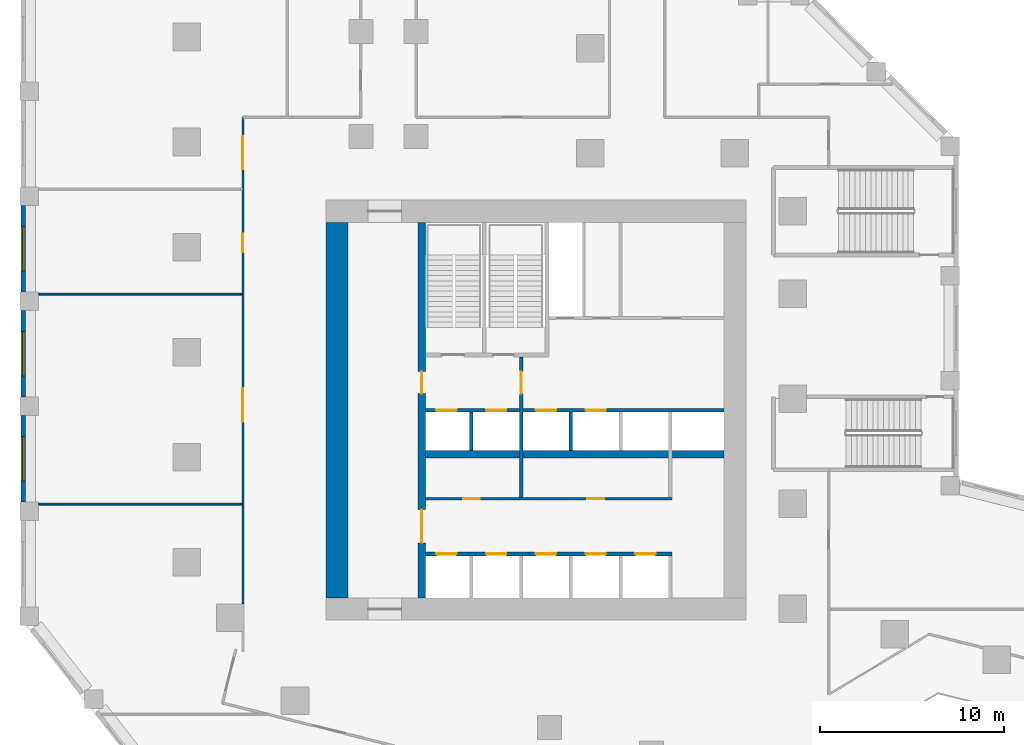
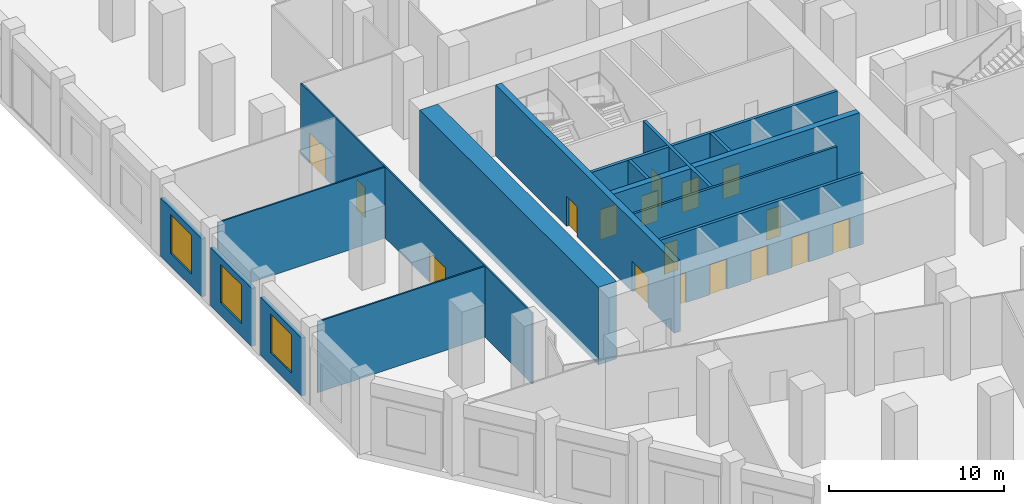
# One storey, part 10 of 23: 17 doors, 15 walls, 3 windows, 20 openings.
"""IFC4 building model written with IfcOpenShell, lengths in metres."""

from ifc_helpers import new_model, si_unit, direction, frame, frame_2d, origin, place, context, subcontext, project, spatial, rectangle, extrude, material, layer, layer_set, type_object, element, fill, save


model = new_model("IFC4")

# Units and contexts
model_context = context("Model", 3, precision=1e-05, world=origin(), true_north=direction((0.0, 1.0)))
body_context = subcontext(model_context, "Body", "Model", "MODEL_VIEW")
ifc_project = project(units=[si_unit("LENGTHUNIT", "METRE"), si_unit("AREAUNIT", "SQUARE_METRE"), si_unit("VOLUMEUNIT", "CUBIC_METRE"), si_unit("PLANEANGLEUNIT", "RADIAN"), si_unit("MASSUNIT", "GRAM", prefix="KILO")], contexts=[model_context])

# Site, building, storey
site_placement = place(None, origin())
site = spatial("IfcSite", under=ifc_project, at=site_placement, CompositionType="ELEMENT")
building_placement = place(site_placement, origin())
building = spatial("IfcBuilding", under=site, at=building_placement, Name="Meshkara Civic Tower", CompositionType="ELEMENT")
storey_placement = place(building_placement, frame((0.0, 0.0, 7.199951171875)))
storey = spatial("IfcBuildingStorey", under=building, at=storey_placement, Name="L01", CompositionType="ELEMENT", Elevation=7.199951171875)

# Wall, openings, doors
ifc_material_1 = material(Name="Blockwork", Category="masonry")
ifc_layer_1 = layer(ifc_material_1, 0.14990234375)
ifc_layer_set_1 = layer_set([ifc_layer_1], Name="Core partition 150")
wall_type_1 = type_object("IfcWallType", Name="Core partition 150", PredefinedType="PARTITIONING", material=ifc_layer_set_1)
wall_1_placement = place(storey_placement, frame((13.39990234375, 20.699951171875, 0.0), z_axis=(0.0, 0.0, 1.0), x_axis=(1.0, 0.0, 0.0)))
wall_1 = element("IfcWall", 1, at=wall_1_placement, inside=storey, type_object=wall_type_1, Name="L01-C006", PredefinedType="PARTITIONING", context=body_context, shape_type="SweptSolid", body=[
    extrude(rectangle(XDim=13.400146484375, YDim=0.14990234375, at=frame_2d((6.7001953125, 0.0))), origin(), (0.0, 0.0, 1.0), 4.949951171875),
])
opening_1_placement = place(wall_1_placement, frame((2.050048828125, 0.0, 0.0)))
opening_1 = element("IfcOpeningElement", 2, at=opening_1_placement, cuts=wall_1, Name="Opening L01-K010", PredefinedType="OPENING", context=body_context, shape_type="SweptSolid", body=[
    extrude(rectangle(XDim=0.89990234375, YDim=2.10009765625, at=frame_2d((0.449951171875, 1.050048828125))), frame((0.0, 0.0849609375, 0.0), z_axis=(0.0, -1.0, 0.0), x_axis=(1.0, 0.0, 0.0)), (0.0, 0.0, 1.0), 0.169921875),
])
opening_2_placement = place(wall_1_placement, frame((8.800048828125, 0.0, 0.0)))
opening_2 = element("IfcOpeningElement", 3, at=opening_2_placement, cuts=wall_1, Name="Opening L01-K011", PredefinedType="OPENING", context=body_context, shape_type="SweptSolid", body=[
    extrude(rectangle(XDim=0.89990234375, YDim=2.10009765625, at=frame_2d((0.449951171875, 1.050048828125))), frame((0.0, 0.0849609375, 0.0), z_axis=(0.0, -1.0, 0.0), x_axis=(1.0, 0.0, 0.0)), (0.0, 0.0, 1.0), 0.169921875),
])
ifc_material_2 = material(Name="Timber door leaf in steel frame", Category="steel")
door_type_1 = type_object("IfcDoorType", Name="Core room door 900", OperationType="SINGLE_SWING_LEFT", PredefinedType="DOOR", material=ifc_material_2)
door_1_placement = place(opening_1_placement, origin())
door_1 = element("IfcDoor", 4, at=door_1_placement, inside=storey, type_object=door_type_1, Name="L01-K010", OperationType="SINGLE_SWING_RIGHT", OverallHeight=2.10009765625, OverallWidth=0.89990234375, PredefinedType="DOOR", context=body_context, shape_type="SweptSolid", body=[
    extrude(rectangle(XDim=0.89990234375, YDim=2.10009765625, at=frame_2d((0.449951171875, 1.050048828125))), frame((0.0, 0.02490234375, 0.0), z_axis=(0.0, -1.0, 0.0), x_axis=(1.0, 0.0, 0.0)), (0.0, 0.0, 1.0), 0.050048828125),
])
fill(opening_1, door_1)
door_2_placement = place(opening_2_placement, origin())
door_2 = element("IfcDoor", 5, at=door_2_placement, inside=storey, type_object=door_type_1, Name="L01-K011", OperationType="SINGLE_SWING_RIGHT", OverallHeight=2.10009765625, OverallWidth=0.89990234375, PredefinedType="DOOR", context=body_context, shape_type="SweptSolid", body=[
    extrude(rectangle(XDim=0.89990234375, YDim=2.10009765625, at=frame_2d((0.449951171875, 1.050048828125))), frame((0.0, 0.02490234375, 0.0), z_axis=(0.0, -1.0, 0.0), x_axis=(1.0, 0.0, 0.0)), (0.0, 0.0, 1.0), 0.050048828125),
])
fill(opening_2, door_2)

# Walls
ifc_material_3 = material(Name="Concrete C80", Category="concrete")
ifc_layer_2 = layer(ifc_material_3, 1.199951171875)
ifc_layer_set_2 = layer_set([ifc_layer_2], Name="Core ring wall 1200 C80")
wall_type_2 = type_object("IfcWallType", Name="Core ring wall 1200 C80", PredefinedType="SHEAR", material=ifc_layer_set_2)
wall_2_placement = place(storey_placement, frame((8.60009765625, 15.300048828125, -0.449951171875), z_axis=(0.0, 0.0, 1.0), x_axis=(0.0, 1.0, 0.0)))
element("IfcWall", 6, at=wall_2_placement, inside=storey, type_object=wall_type_2, Name="L01-C003", PredefinedType="SHEAR", context=body_context, shape_type="SweptSolid", body=[
    extrude(rectangle(XDim=20.39990234375, YDim=1.199951171875, at=frame_2d((10.199951171875, 0.0))), origin(), (0.0, 0.0, 1.0), 5.39990234375),
])
ifc_material_4 = material(Name="Concrete C80", Category="concrete")
ifc_layer_3 = layer(ifc_material_4, 0.39990234375)
ifc_layer_set_3 = layer_set([ifc_layer_3], Name="Core shear wall 400 C80")
wall_type_3 = type_object("IfcWallType", Name="Core shear wall 400 C80", PredefinedType="SHEAR", material=ifc_layer_set_3)
wall_3_placement = place(storey_placement, frame((13.39990234375, 23.10009765625, 0.0), z_axis=(0.0, 0.0, 1.0), x_axis=(1.0, 0.0, 0.0)))
element("IfcWall", 7, at=wall_3_placement, inside=storey, type_object=wall_type_3, Name="L01-C007", PredefinedType="SHEAR", context=body_context, shape_type="SweptSolid", body=[
    extrude(rectangle(XDim=16.2001953125, YDim=0.39990234375, at=frame_2d((8.10009765625, 0.0))), origin(), (0.0, 0.0, 1.0), 4.949951171875),
])

# Wall, openings, doors
wall_4_placement = place(storey_placement, frame((13.199951171875, 15.300048828125, 0.0), z_axis=(0.0, 0.0, 1.0), x_axis=(0.0, 1.0, 0.0)))
wall_4 = element("IfcWall", 8, at=wall_4_placement, inside=storey, type_object=wall_type_3, Name="L01-C011", PredefinedType="SHEAR", context=body_context, shape_type="SweptSolid", body=[
    extrude(rectangle(XDim=20.39990234375, YDim=0.39990234375, at=frame_2d((10.199951171875, 0.0))), origin(), (0.0, 0.0, 1.0), 4.949951171875),
])
opening_3_placement = place(wall_4_placement, frame((3.0, 0.0, 0.0)))
opening_3 = element("IfcOpeningElement", 9, at=opening_3_placement, cuts=wall_4, Name="Opening L01-K017", PredefinedType="OPENING", context=body_context, shape_type="SweptSolid", body=[
    extrude(rectangle(XDim=1.800048828125, YDim=2.10009765625, at=frame_2d((0.89990234375, 1.050048828125))), frame((0.0, 0.2099609375, 0.0), z_axis=(0.0, -1.0, 0.0), x_axis=(1.0, 0.0, 0.0)), (0.0, 0.0, 1.0), 0.419921875),
])
opening_4_placement = place(wall_4_placement, frame((11.10009765625, 0.0, 0.0)))
opening_4 = element("IfcOpeningElement", 10, at=opening_4_placement, cuts=wall_4, Name="Opening L01-K018", PredefinedType="OPENING", context=body_context, shape_type="SweptSolid", body=[
    extrude(rectangle(XDim=1.199951171875, YDim=2.10009765625, at=frame_2d((0.60009765625, 1.050048828125))), frame((0.0, 0.2099609375, 0.0), z_axis=(0.0, -1.0, 0.0), x_axis=(1.0, 0.0, 0.0)), (0.0, 0.0, 1.0), 0.419921875),
])
ifc_material_5 = material(Name="Fire-rated door leaf in steel frame", Category="steel")
door_type_2 = type_object("IfcDoorType", Name="Core double door 1800 EI 60", OperationType="DOUBLE_DOOR_SINGLE_SWING", PredefinedType="DOOR", material=ifc_material_5)
door_3_placement = place(opening_3_placement, origin())
door_3 = element("IfcDoor", 11, at=door_3_placement, inside=storey, type_object=door_type_2, Name="L01-K017", OperationType="DOUBLE_DOOR_SINGLE_SWING", OverallHeight=2.10009765625, OverallWidth=1.800048828125, PredefinedType="DOOR", context=body_context, shape_type="SweptSolid", body=[
    extrude(rectangle(XDim=1.800048828125, YDim=2.10009765625, at=frame_2d((0.89990234375, 1.050048828125))), frame((0.0, 0.02490234375, 0.0), z_axis=(0.0, -1.0, 0.0), x_axis=(1.0, 0.0, 0.0)), (0.0, 0.0, 1.0), 0.050048828125),
])
fill(opening_3, door_3)
ifc_material_6 = material(Name="Fire-rated door leaf in steel frame", Category="steel")
door_type_3 = type_object("IfcDoorType", Name="Fire-fighting lobby door 1200 EI 120", OperationType="SINGLE_SWING_LEFT", PredefinedType="DOOR", material=ifc_material_6)
door_4_placement = place(opening_4_placement, origin())
door_4 = element("IfcDoor", 12, at=door_4_placement, inside=storey, type_object=door_type_3, Name="L01-K018", OperationType="SINGLE_SWING_LEFT", OverallHeight=2.10009765625, OverallWidth=1.199951171875, PredefinedType="DOOR", context=body_context, shape_type="SweptSolid", body=[
    extrude(rectangle(XDim=1.199951171875, YDim=2.10009765625, at=frame_2d((0.60009765625, 1.050048828125))), frame((0.0, 0.02490234375, 0.0), z_axis=(0.0, -1.0, 0.0), x_axis=(1.0, 0.0, 0.0)), (0.0, 0.0, 1.0), 0.050048828125),
])
fill(opening_4, door_4)

ifc_material_7 = material(Name="Corridor wall 100")
ifc_layer_4 = layer(ifc_material_7, 0.10009765625)
ifc_layer_set_4 = layer_set([ifc_layer_4], Name="Corridor wall 100")
wall_type_4 = type_object("IfcWallType", Name="Corridor wall 100", PredefinedType="PARTITIONING", material=ifc_layer_set_4)
wall_5_placement = place(storey_placement, frame((3.5, 14.9990234375, 0.0), z_axis=(0.0, 0.0, 1.0), x_axis=(0.0, 1.0, 0.0)))
wall_5 = element("IfcWall", 13, at=wall_5_placement, inside=storey, type_object=wall_type_4, Name="L01-R007", PredefinedType="PARTITIONING", context=body_context, shape_type="SweptSolid", body=[
    extrude(rectangle(XDim=26.40087890625, YDim=0.10009765625, at=frame_2d((13.200439453125, 0.0))), origin(), (0.0, 0.0, 1.0), 4.949951171875),
])
opening_5_placement = place(wall_5_placement, frame((9.881103515625, 0.0, 0.0)))
opening_5 = element("IfcOpeningElement", 14, at=opening_5_placement, cuts=wall_5, Name="Opening L01-P022", PredefinedType="OPENING", context=body_context, shape_type="SweptSolid", body=[
    extrude(rectangle(XDim=1.800048828125, YDim=2.10009765625, at=frame_2d((0.89990234375, 1.050048828125))), frame((0.0, 0.06005859375, 0.0), z_axis=(0.0, -1.0, 0.0), x_axis=(1.0, 0.0, 0.0)), (0.0, 0.0, 1.0), 0.1201171875),
])
opening_6_placement = place(wall_5_placement, frame((19.0810546875, 0.0, 0.0)))
opening_6 = element("IfcOpeningElement", 15, at=opening_6_placement, cuts=wall_5, Name="Opening L01-P024", PredefinedType="OPENING", context=body_context, shape_type="SweptSolid", body=[
    extrude(rectangle(XDim=1.0, YDim=2.10009765625, at=frame_2d((0.5, 1.050048828125))), frame((0.0, 0.06005859375, 0.0), z_axis=(0.0, -1.0, 0.0), x_axis=(1.0, 0.0, 0.0)), (0.0, 0.0, 1.0), 0.1201171875),
])
opening_7_placement = place(wall_5_placement, frame((23.5810546875, 0.0, 0.0)))
opening_7 = element("IfcOpeningElement", 16, at=opening_7_placement, cuts=wall_5, Name="Opening L01-P026", PredefinedType="OPENING", context=body_context, shape_type="SweptSolid", body=[
    extrude(rectangle(XDim=1.800048828125, YDim=2.10009765625, at=frame_2d((0.89990234375, 1.050048828125))), frame((0.0, 0.06005859375, 0.0), z_axis=(0.0, -1.0, 0.0), x_axis=(1.0, 0.0, 0.0)), (0.0, 0.0, 1.0), 0.1201171875),
])
ifc_material_8 = material(Name="Door 1000 x 2100")
door_type_4 = type_object("IfcDoorType", Name="Door 1000 x 2100", OperationType="SINGLE_SWING_LEFT", PredefinedType="DOOR", material=ifc_material_8)
door_5_placement = place(opening_6_placement, origin())
door_5 = element("IfcDoor", 17, at=door_5_placement, inside=storey, type_object=door_type_4, Name="L01-P024", OperationType="SINGLE_SWING_RIGHT", OverallHeight=2.10009765625, OverallWidth=1.0, PredefinedType="DOOR", context=body_context, shape_type="SweptSolid", body=[
    extrude(rectangle(XDim=1.0, YDim=2.10009765625, at=frame_2d((0.5, 1.050048828125))), frame((0.0, 0.02490234375, 0.0), z_axis=(0.0, -1.0, 0.0), x_axis=(1.0, 0.0, 0.0)), (0.0, 0.0, 1.0), 0.050048828125),
])
fill(opening_6, door_5)
ifc_material_9 = material(Name="Door pair 1800 x 2100")
door_type_5 = type_object("IfcDoorType", Name="Door pair 1800 x 2100", OperationType="SINGLE_SWING_LEFT", PredefinedType="DOOR", material=ifc_material_9)
door_6_placement = place(opening_5_placement, origin())
door_6 = element("IfcDoor", 18, at=door_6_placement, inside=storey, type_object=door_type_5, Name="L01-P022", OperationType="DOUBLE_DOOR_SINGLE_SWING", OverallHeight=2.10009765625, OverallWidth=1.800048828125, PredefinedType="DOOR", context=body_context, shape_type="SweptSolid", body=[
    extrude(rectangle(XDim=1.800048828125, YDim=2.10009765625, at=frame_2d((0.89990234375, 1.050048828125))), frame((0.0, 0.02490234375, 0.0), z_axis=(0.0, -1.0, 0.0), x_axis=(1.0, 0.0, 0.0)), (0.0, 0.0, 1.0), 0.050048828125),
])
fill(opening_5, door_6)
door_7_placement = place(opening_7_placement, origin())
door_7 = element("IfcDoor", 19, at=door_7_placement, inside=storey, type_object=door_type_5, Name="L01-P026", OperationType="DOUBLE_DOOR_SINGLE_SWING", OverallHeight=2.10009765625, OverallWidth=1.800048828125, PredefinedType="DOOR", context=body_context, shape_type="SweptSolid", body=[
    extrude(rectangle(XDim=1.800048828125, YDim=2.10009765625, at=frame_2d((0.89990234375, 1.050048828125))), frame((0.0, 0.02490234375, 0.0), z_axis=(0.0, -1.0, 0.0), x_axis=(1.0, 0.0, 0.0)), (0.0, 0.0, 1.0), 0.050048828125),
])
fill(opening_7, door_7)

# Wall, opening, window
ifc_material_10 = material(Name="Stone cladding on insulated backing wall", Category="masonry")
ifc_layer_5 = layer(ifc_material_10, 0.25)
ifc_layer_set_5 = layer_set([ifc_layer_5], Name="PODIUM STONE WALL 250")
wall_type_5 = type_object("IfcWallType", Name="PODIUM STONE WALL 250", PredefinedType="SOLIDWALL", material=ifc_layer_set_5)
wall_6_placement = place(storey_placement, frame((-8.425048828125, 36.611083984375, 0.0), z_axis=(0.0, 0.0, 1.0), x_axis=(0.0, -1.0, 0.0)))
wall_6 = element("IfcWall", 20, at=wall_6_placement, inside=storey, type_object=wall_type_5, Name="Podium external wall", PredefinedType="SOLIDWALL", context=body_context, shape_type="SweptSolid", body=[
    extrude(rectangle(XDim=4.7001953125, YDim=0.25, at=frame_2d((2.35009765625, 0.0))), origin(), (0.0, 0.0, 1.0), 4.050048828125),
])
opening_8_placement = place(wall_6_placement, frame((1.14990234375, 0.0, 0.89990234375)))
opening_8 = element("IfcOpeningElement", 21, at=opening_8_placement, cuts=wall_6, Name="Opening PW4", PredefinedType="OPENING", context=body_context, shape_type="SweptSolid", body=[
    extrude(rectangle(XDim=2.39990234375, YDim=2.699951171875, at=frame_2d((1.199951171875, 1.35009765625))), frame((0.0, 0.135009765625, 0.0), z_axis=(0.0, -1.0, 0.0), x_axis=(1.0, 0.0, 0.0)), (0.0, 0.0, 1.0), 0.27001953125),
])
ifc_material_11 = material(Name="Tinted double glazing", Category="glass")
window_type = type_object("IfcWindowType", Name="PODIUM WINDOW 2400x2700", PartitioningType="DOUBLE_PANEL_VERTICAL", PredefinedType="WINDOW", material=ifc_material_11)
window_1_placement = place(opening_8_placement, origin())
window_1 = element("IfcWindow", 22, at=window_1_placement, inside=storey, type_object=window_type, Name="Podium window", OverallHeight=2.699951171875, OverallWidth=2.39990234375, PartitioningType="DOUBLE_PANEL_VERTICAL", PredefinedType="WINDOW", context=body_context, shape_type="SweptSolid", body=[
    extrude(rectangle(XDim=2.39990234375, YDim=2.699951171875, at=frame_2d((1.199951171875, 1.35009765625))), frame((0.0, 0.030029296875, 0.0), z_axis=(0.0, -1.0, 0.0), x_axis=(1.0, 0.0, 0.0)), (0.0, 0.0, 1.0), 0.06005859375),
])
fill(opening_8, window_1)

wall_7_placement = place(storey_placement, frame((-8.425048828125, 30.910888671875, 0.0), z_axis=(0.0, 0.0, 1.0), x_axis=(0.0, -1.0, 0.0)))
wall_7 = element("IfcWall", 23, at=wall_7_placement, inside=storey, type_object=wall_type_5, Name="Podium external wall", PredefinedType="SOLIDWALL", context=body_context, shape_type="SweptSolid", body=[
    extrude(rectangle(XDim=4.699951171875, YDim=0.25, at=frame_2d((2.35009765625, 0.0))), origin(), (0.0, 0.0, 1.0), 4.050048828125),
])
opening_9_placement = place(wall_7_placement, frame((1.14990234375, 0.0, 0.89990234375)))
opening_9 = element("IfcOpeningElement", 24, at=opening_9_placement, cuts=wall_7, Name="Opening PW4", PredefinedType="OPENING", context=body_context, shape_type="SweptSolid", body=[
    extrude(rectangle(XDim=2.39990234375, YDim=2.699951171875, at=frame_2d((1.199951171875, 1.35009765625))), frame((0.0, 0.135009765625, 0.0), z_axis=(0.0, -1.0, 0.0), x_axis=(1.0, 0.0, 0.0)), (0.0, 0.0, 1.0), 0.27001953125),
])
window_2_placement = place(opening_9_placement, origin())
window_2 = element("IfcWindow", 25, at=window_2_placement, inside=storey, type_object=window_type, Name="Podium window", OverallHeight=2.699951171875, OverallWidth=2.39990234375, PartitioningType="DOUBLE_PANEL_VERTICAL", PredefinedType="WINDOW", context=body_context, shape_type="SweptSolid", body=[
    extrude(rectangle(XDim=2.39990234375, YDim=2.699951171875, at=frame_2d((1.199951171875, 1.35009765625))), frame((0.0, 0.030029296875, 0.0), z_axis=(0.0, -1.0, 0.0), x_axis=(1.0, 0.0, 0.0)), (0.0, 0.0, 1.0), 0.06005859375),
])
fill(opening_9, window_2)

wall_8_placement = place(storey_placement, frame((-8.425048828125, 25.2109375, 0.0), z_axis=(0.0, 0.0, 1.0), x_axis=(0.0, -1.0, 0.0)))
wall_8 = element("IfcWall", 26, at=wall_8_placement, inside=storey, type_object=wall_type_5, Name="Podium external wall", PredefinedType="SOLIDWALL", context=body_context, shape_type="SweptSolid", body=[
    extrude(rectangle(XDim=4.699951171875, YDim=0.25, at=frame_2d((2.35009765625, 0.0))), origin(), (0.0, 0.0, 1.0), 4.050048828125),
])
opening_10_placement = place(wall_8_placement, frame((1.14990234375, 0.0, 0.89990234375)))
opening_10 = element("IfcOpeningElement", 27, at=opening_10_placement, cuts=wall_8, Name="Opening PW4", PredefinedType="OPENING", context=body_context, shape_type="SweptSolid", body=[
    extrude(rectangle(XDim=2.39990234375, YDim=2.699951171875, at=frame_2d((1.199951171875, 1.35009765625))), frame((0.0, 0.135009765625, 0.0), z_axis=(0.0, -1.0, 0.0), x_axis=(1.0, 0.0, 0.0)), (0.0, 0.0, 1.0), 0.27001953125),
])
window_3_placement = place(opening_10_placement, origin())
window_3 = element("IfcWindow", 28, at=window_3_placement, inside=storey, type_object=window_type, Name="Podium window", OverallHeight=2.699951171875, OverallWidth=2.39990234375, PartitioningType="DOUBLE_PANEL_VERTICAL", PredefinedType="WINDOW", context=body_context, shape_type="SweptSolid", body=[
    extrude(rectangle(XDim=2.39990234375, YDim=2.699951171875, at=frame_2d((1.199951171875, 1.35009765625))), frame((0.0, 0.030029296875, 0.0), z_axis=(0.0, -1.0, 0.0), x_axis=(1.0, 0.0, 0.0)), (0.0, 0.0, 1.0), 0.06005859375),
])
fill(opening_10, window_3)

# Walls
ifc_material_12 = material(Name="Partition 100")
ifc_layer_6 = layer(ifc_material_12, 0.10009765625)
ifc_layer_set_6 = layer_set([ifc_layer_6], Name="Partition 100")
wall_type_6 = type_object("IfcWallType", Name="Partition 100", PredefinedType="PARTITIONING", material=ifc_layer_set_6)
for number, where, z_axis, x_axis, name in (
    (29, (3.449951171875, 20.39990234375, 0.0), (0.0, 0.0, 1.0), (-1.0, 0.0, 0.0), "L01-R087"),
    (30, (3.449951171875, 31.800048828125, 0.0), (0.0, 0.0, 1.0), (-1.0, 0.0, 0.0), "L01-R088"),
):
    element("IfcWall", number, at=place(storey_placement, frame(where, z_axis=z_axis, x_axis=x_axis)), inside=storey, type_object=wall_type_6, Name=name, PredefinedType="PARTITIONING", context=body_context, shape_type="SweptSolid", body=[
        extrude(rectangle(XDim=11.030029296875, YDim=0.10009765625, at=frame_2d((5.51513671875, 0.0))), origin(), (0.0, 0.0, 1.0), 4.949951171875),
    ])

# Wall, openings, doors
ifc_material_13 = material(Name="Concrete C40/50", Category="concrete")
ifc_layer_7 = layer(ifc_material_13, 0.199951171875)
ifc_layer_set_7 = layer_set([ifc_layer_7], Name="Shaft wall 200 C40/50")
wall_type_7 = type_object("IfcWallType", Name="Shaft wall 200 C40/50", PredefinedType="SOLIDWALL", material=ifc_layer_set_7)
wall_9_placement = place(storey_placement, frame((13.39990234375, 17.699951171875, 0.0), z_axis=(0.0, 0.0, 1.0), x_axis=(1.0, 0.0, 0.0)))
wall_9 = element("IfcWall", 31, at=wall_9_placement, inside=storey, type_object=wall_type_7, Name="L01-C005", PredefinedType="SOLIDWALL", context=body_context, shape_type="SweptSolid", body=[
    extrude(rectangle(XDim=13.400146484375, YDim=0.199951171875, at=frame_2d((6.7001953125, 0.0))), origin(), (0.0, 0.0, 1.0), 4.949951171875),
])
opening_11_placement = place(wall_9_placement, frame((0.60009765625, 0.0, 0.0)))
opening_11 = element("IfcOpeningElement", 32, at=opening_11_placement, cuts=wall_9, Name="Opening L01-K001", PredefinedType="OPENING", context=body_context, shape_type="SweptSolid", body=[
    extrude(rectangle(XDim=1.10009765625, YDim=2.10009765625, at=frame_2d((0.550048828125, 1.050048828125))), frame((0.0, 0.10986328125, 0.0), z_axis=(0.0, -1.0, 0.0), x_axis=(1.0, 0.0, 0.0)), (0.0, 0.0, 1.0), 0.219970703125),
])
opening_12_placement = place(wall_9_placement, frame((3.300048828125, 0.0, 0.0)))
opening_12 = element("IfcOpeningElement", 33, at=opening_12_placement, cuts=wall_9, Name="Opening L01-K002", PredefinedType="OPENING", context=body_context, shape_type="SweptSolid", body=[
    extrude(rectangle(XDim=1.10009765625, YDim=2.10009765625, at=frame_2d((0.550048828125, 1.050048828125))), frame((0.0, 0.10986328125, 0.0), z_axis=(0.0, -1.0, 0.0), x_axis=(1.0, 0.0, 0.0)), (0.0, 0.0, 1.0), 0.219970703125),
])
opening_13_placement = place(wall_9_placement, frame((6.0, 0.0, 0.0)))
opening_13 = element("IfcOpeningElement", 34, at=opening_13_placement, cuts=wall_9, Name="Opening L01-K003", PredefinedType="OPENING", context=body_context, shape_type="SweptSolid", body=[
    extrude(rectangle(XDim=1.10009765625, YDim=2.10009765625, at=frame_2d((0.550048828125, 1.050048828125))), frame((0.0, 0.10986328125, 0.0), z_axis=(0.0, -1.0, 0.0), x_axis=(1.0, 0.0, 0.0)), (0.0, 0.0, 1.0), 0.219970703125),
])
opening_14_placement = place(wall_9_placement, frame((8.699951171875, 0.0, 0.0)))
opening_14 = element("IfcOpeningElement", 35, at=opening_14_placement, cuts=wall_9, Name="Opening L01-K004", PredefinedType="OPENING", context=body_context, shape_type="SweptSolid", body=[
    extrude(rectangle(XDim=1.10009765625, YDim=2.10009765625, at=frame_2d((0.550048828125, 1.050048828125))), frame((0.0, 0.10986328125, 0.0), z_axis=(0.0, -1.0, 0.0), x_axis=(1.0, 0.0, 0.0)), (0.0, 0.0, 1.0), 0.219970703125),
])
opening_15_placement = place(wall_9_placement, frame((11.39990234375, 0.0, 0.0)))
opening_15 = element("IfcOpeningElement", 36, at=opening_15_placement, cuts=wall_9, Name="Opening L01-K005", PredefinedType="OPENING", context=body_context, shape_type="SweptSolid", body=[
    extrude(rectangle(XDim=1.10009765625, YDim=2.10009765625, at=frame_2d((0.550048828125, 1.050048828125))), frame((0.0, 0.10986328125, 0.0), z_axis=(0.0, -1.0, 0.0), x_axis=(1.0, 0.0, 0.0)), (0.0, 0.0, 1.0), 0.219970703125),
])
ifc_material_14 = material(Name="Stainless steel landing door", Category="steel")
door_type_6 = type_object("IfcDoorType", Name="Lift landing door 1100", OperationType="SLIDING_TO_LEFT", PredefinedType="DOOR", material=ifc_material_14)
door_8_placement = place(opening_11_placement, origin())
door_8 = element("IfcDoor", 37, at=door_8_placement, inside=storey, type_object=door_type_6, Name="L01-K001", OperationType="SLIDING_TO_LEFT", OverallHeight=2.10009765625, OverallWidth=1.10009765625, PredefinedType="DOOR", context=body_context, shape_type="SweptSolid", body=[
    extrude(rectangle(XDim=1.10009765625, YDim=2.10009765625, at=frame_2d((0.550048828125, 1.050048828125))), frame((0.0, 0.02490234375, 0.0), z_axis=(0.0, -1.0, 0.0), x_axis=(1.0, 0.0, 0.0)), (0.0, 0.0, 1.0), 0.050048828125),
])
fill(opening_11, door_8)
door_9_placement = place(opening_12_placement, origin())
door_9 = element("IfcDoor", 38, at=door_9_placement, inside=storey, type_object=door_type_6, Name="L01-K002", OperationType="SLIDING_TO_LEFT", OverallHeight=2.10009765625, OverallWidth=1.10009765625, PredefinedType="DOOR", context=body_context, shape_type="SweptSolid", body=[
    extrude(rectangle(XDim=1.10009765625, YDim=2.10009765625, at=frame_2d((0.550048828125, 1.050048828125))), frame((0.0, 0.02490234375, 0.0), z_axis=(0.0, -1.0, 0.0), x_axis=(1.0, 0.0, 0.0)), (0.0, 0.0, 1.0), 0.050048828125),
])
fill(opening_12, door_9)
door_10_placement = place(opening_13_placement, origin())
door_10 = element("IfcDoor", 39, at=door_10_placement, inside=storey, type_object=door_type_6, Name="L01-K003", OperationType="SLIDING_TO_LEFT", OverallHeight=2.10009765625, OverallWidth=1.10009765625, PredefinedType="DOOR", context=body_context, shape_type="SweptSolid", body=[
    extrude(rectangle(XDim=1.10009765625, YDim=2.10009765625, at=frame_2d((0.550048828125, 1.050048828125))), frame((0.0, 0.02490234375, 0.0), z_axis=(0.0, -1.0, 0.0), x_axis=(1.0, 0.0, 0.0)), (0.0, 0.0, 1.0), 0.050048828125),
])
fill(opening_13, door_10)
door_11_placement = place(opening_14_placement, origin())
door_11 = element("IfcDoor", 40, at=door_11_placement, inside=storey, type_object=door_type_6, Name="L01-K004", OperationType="SLIDING_TO_LEFT", OverallHeight=2.10009765625, OverallWidth=1.10009765625, PredefinedType="DOOR", context=body_context, shape_type="SweptSolid", body=[
    extrude(rectangle(XDim=1.10009765625, YDim=2.10009765625, at=frame_2d((0.550048828125, 1.050048828125))), frame((0.0, 0.02490234375, 0.0), z_axis=(0.0, -1.0, 0.0), x_axis=(1.0, 0.0, 0.0)), (0.0, 0.0, 1.0), 0.050048828125),
])
fill(opening_14, door_11)
door_12_placement = place(opening_15_placement, origin())
door_12 = element("IfcDoor", 41, at=door_12_placement, inside=storey, type_object=door_type_6, Name="L01-K005", OperationType="SLIDING_TO_LEFT", OverallHeight=2.10009765625, OverallWidth=1.10009765625, PredefinedType="DOOR", context=body_context, shape_type="SweptSolid", body=[
    extrude(rectangle(XDim=1.10009765625, YDim=2.10009765625, at=frame_2d((0.550048828125, 1.050048828125))), frame((0.0, 0.02490234375, 0.0), z_axis=(0.0, -1.0, 0.0), x_axis=(1.0, 0.0, 0.0)), (0.0, 0.0, 1.0), 0.050048828125),
])
fill(opening_15, door_12)

wall_10_placement = place(storey_placement, frame((13.39990234375, 25.5, 0.0), z_axis=(0.0, 0.0, 1.0), x_axis=(1.0, 0.0, 0.0)))
wall_10 = element("IfcWall", 42, at=wall_10_placement, inside=storey, type_object=wall_type_7, Name="L01-C008", PredefinedType="SOLIDWALL", context=body_context, shape_type="SweptSolid", body=[
    extrude(rectangle(XDim=16.2001953125, YDim=0.199951171875, at=frame_2d((8.10009765625, 0.0))), origin(), (0.0, 0.0, 1.0), 4.949951171875),
])
opening_16_placement = place(wall_10_placement, frame((0.60009765625, 0.0, 0.0)))
opening_16 = element("IfcOpeningElement", 43, at=opening_16_placement, cuts=wall_10, Name="Opening L01-K006", PredefinedType="OPENING", context=body_context, shape_type="SweptSolid", body=[
    extrude(rectangle(XDim=1.10009765625, YDim=2.10009765625, at=frame_2d((0.550048828125, 1.050048828125))), frame((0.0, 0.10986328125, 0.0), z_axis=(0.0, -1.0, 0.0), x_axis=(1.0, 0.0, 0.0)), (0.0, 0.0, 1.0), 0.219970703125),
])
opening_17_placement = place(wall_10_placement, frame((3.300048828125, 0.0, 0.0)))
opening_17 = element("IfcOpeningElement", 44, at=opening_17_placement, cuts=wall_10, Name="Opening L01-K007", PredefinedType="OPENING", context=body_context, shape_type="SweptSolid", body=[
    extrude(rectangle(XDim=1.10009765625, YDim=2.10009765625, at=frame_2d((0.550048828125, 1.050048828125))), frame((0.0, 0.10986328125, 0.0), z_axis=(0.0, -1.0, 0.0), x_axis=(1.0, 0.0, 0.0)), (0.0, 0.0, 1.0), 0.219970703125),
])
opening_18_placement = place(wall_10_placement, frame((6.0, 0.0, 0.0)))
opening_18 = element("IfcOpeningElement", 45, at=opening_18_placement, cuts=wall_10, Name="Opening L01-K008", PredefinedType="OPENING", context=body_context, shape_type="SweptSolid", body=[
    extrude(rectangle(XDim=1.10009765625, YDim=2.10009765625, at=frame_2d((0.550048828125, 1.050048828125))), frame((0.0, 0.10986328125, 0.0), z_axis=(0.0, -1.0, 0.0), x_axis=(1.0, 0.0, 0.0)), (0.0, 0.0, 1.0), 0.219970703125),
])
opening_19_placement = place(wall_10_placement, frame((8.699951171875, 0.0, 0.0)))
opening_19 = element("IfcOpeningElement", 46, at=opening_19_placement, cuts=wall_10, Name="Opening L01-K009", PredefinedType="OPENING", context=body_context, shape_type="SweptSolid", body=[
    extrude(rectangle(XDim=1.10009765625, YDim=2.10009765625, at=frame_2d((0.550048828125, 1.050048828125))), frame((0.0, 0.10986328125, 0.0), z_axis=(0.0, -1.0, 0.0), x_axis=(1.0, 0.0, 0.0)), (0.0, 0.0, 1.0), 0.219970703125),
])
door_13_placement = place(opening_16_placement, origin())
door_13 = element("IfcDoor", 47, at=door_13_placement, inside=storey, type_object=door_type_6, Name="L01-K006", OperationType="SLIDING_TO_LEFT", OverallHeight=2.10009765625, OverallWidth=1.10009765625, PredefinedType="DOOR", context=body_context, shape_type="SweptSolid", body=[
    extrude(rectangle(XDim=1.10009765625, YDim=2.10009765625, at=frame_2d((0.550048828125, 1.050048828125))), frame((0.0, 0.02490234375, 0.0), z_axis=(0.0, -1.0, 0.0), x_axis=(1.0, 0.0, 0.0)), (0.0, 0.0, 1.0), 0.050048828125),
])
fill(opening_16, door_13)
door_14_placement = place(opening_17_placement, origin())
door_14 = element("IfcDoor", 48, at=door_14_placement, inside=storey, type_object=door_type_6, Name="L01-K007", OperationType="SLIDING_TO_LEFT", OverallHeight=2.10009765625, OverallWidth=1.10009765625, PredefinedType="DOOR", context=body_context, shape_type="SweptSolid", body=[
    extrude(rectangle(XDim=1.10009765625, YDim=2.10009765625, at=frame_2d((0.550048828125, 1.050048828125))), frame((0.0, 0.02490234375, 0.0), z_axis=(0.0, -1.0, 0.0), x_axis=(1.0, 0.0, 0.0)), (0.0, 0.0, 1.0), 0.050048828125),
])
fill(opening_17, door_14)
door_15_placement = place(opening_18_placement, origin())
door_15 = element("IfcDoor", 49, at=door_15_placement, inside=storey, type_object=door_type_6, Name="L01-K008", OperationType="SLIDING_TO_LEFT", OverallHeight=2.10009765625, OverallWidth=1.10009765625, PredefinedType="DOOR", context=body_context, shape_type="SweptSolid", body=[
    extrude(rectangle(XDim=1.10009765625, YDim=2.10009765625, at=frame_2d((0.550048828125, 1.050048828125))), frame((0.0, 0.02490234375, 0.0), z_axis=(0.0, -1.0, 0.0), x_axis=(1.0, 0.0, 0.0)), (0.0, 0.0, 1.0), 0.050048828125),
])
fill(opening_18, door_15)
door_16_placement = place(opening_19_placement, origin())
door_16 = element("IfcDoor", 50, at=door_16_placement, inside=storey, type_object=door_type_6, Name="L01-K009", OperationType="SLIDING_TO_LEFT", OverallHeight=2.10009765625, OverallWidth=1.10009765625, PredefinedType="DOOR", context=body_context, shape_type="SweptSolid", body=[
    extrude(rectangle(XDim=1.10009765625, YDim=2.10009765625, at=frame_2d((0.550048828125, 1.050048828125))), frame((0.0, 0.02490234375, 0.0), z_axis=(0.0, -1.0, 0.0), x_axis=(1.0, 0.0, 0.0)), (0.0, 0.0, 1.0), 0.050048828125),
])
fill(opening_19, door_16)

# Wall
wall_11_placement = place(storey_placement, frame((15.89990234375, 23.300048828125, 0.0), z_axis=(0.0, 0.0, 1.0), x_axis=(0.0, 1.0, 0.0)))
element("IfcWall", 51, at=wall_11_placement, inside=storey, type_object=wall_type_7, Name="L01-C013", PredefinedType="SOLIDWALL", context=body_context, shape_type="SweptSolid", body=[
    extrude(rectangle(XDim=2.099853515625, YDim=0.199951171875, at=frame_2d((1.0498046875, 0.0))), origin(), (0.0, 0.0, 1.0), 4.949951171875),
])

# Wall, opening, door
wall_12_placement = place(storey_placement, frame((18.60009765625, 20.77490234375, 0.0), z_axis=(0.0, 0.0, 1.0), x_axis=(0.0, 1.0, 0.0)))
wall_12 = element("IfcWall", 52, at=wall_12_placement, inside=storey, type_object=wall_type_7, Name="L01-C016", PredefinedType="SOLIDWALL", context=body_context, shape_type="SweptSolid", body=[
    extrude(rectangle(XDim=7.625, YDim=0.199951171875, at=frame_2d((3.8125, 0.0))), origin(), (0.0, 0.0, 1.0), 4.949951171875),
])
opening_20_placement = place(wall_12_placement, frame((5.625, 0.0, 0.0)))
opening_20 = element("IfcOpeningElement", 53, at=opening_20_placement, cuts=wall_12, Name="Opening L01-K019", PredefinedType="OPENING", context=body_context, shape_type="SweptSolid", body=[
    extrude(rectangle(XDim=1.199951171875, YDim=2.10009765625, at=frame_2d((0.60009765625, 1.050048828125))), frame((0.0, 0.10986328125, 0.0), z_axis=(0.0, -1.0, 0.0), x_axis=(1.0, 0.0, 0.0)), (0.0, 0.0, 1.0), 0.219970703125),
])
door_17_placement = place(opening_20_placement, origin())
door_17 = element("IfcDoor", 54, at=door_17_placement, inside=storey, type_object=door_type_3, Name="L01-K019", OperationType="SINGLE_SWING_RIGHT", OverallHeight=2.10009765625, OverallWidth=1.199951171875, PredefinedType="DOOR", context=body_context, shape_type="SweptSolid", body=[
    extrude(rectangle(XDim=1.199951171875, YDim=2.10009765625, at=frame_2d((0.60009765625, 1.050048828125))), frame((0.0, 0.02490234375, 0.0), z_axis=(0.0, -1.0, 0.0), x_axis=(1.0, 0.0, 0.0)), (0.0, 0.0, 1.0), 0.050048828125),
])
fill(opening_20, door_17)

# Wall
wall_13_placement = place(storey_placement, frame((21.300048828125, 23.300048828125, 0.0), z_axis=(0.0, 0.0, 1.0), x_axis=(0.0, 1.0, 0.0)))
element("IfcWall", 55, at=wall_13_placement, inside=storey, type_object=wall_type_7, Name="L01-C019", PredefinedType="SOLIDWALL", context=body_context, shape_type="SweptSolid", body=[
    extrude(rectangle(XDim=2.099853515625, YDim=0.199951171875, at=frame_2d((1.0498046875, 0.0))), origin(), (0.0, 0.0, 1.0), 4.949951171875),
])

save(model, "model.ifc")
